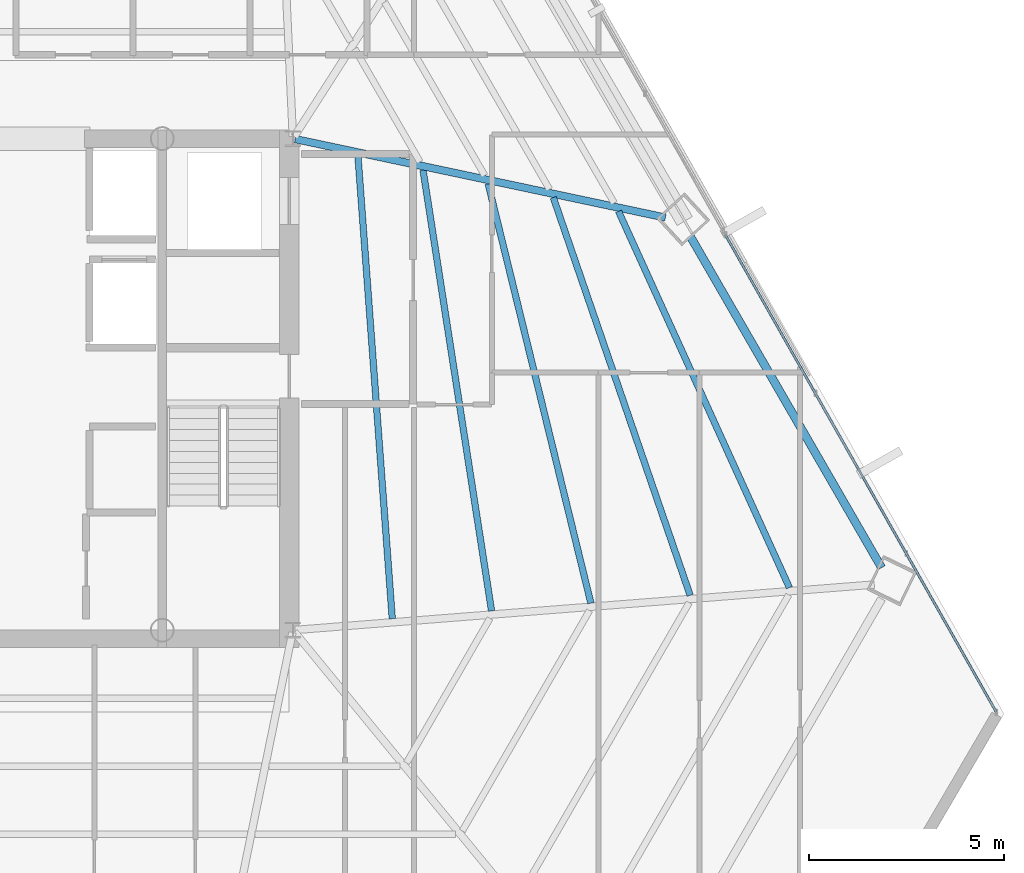
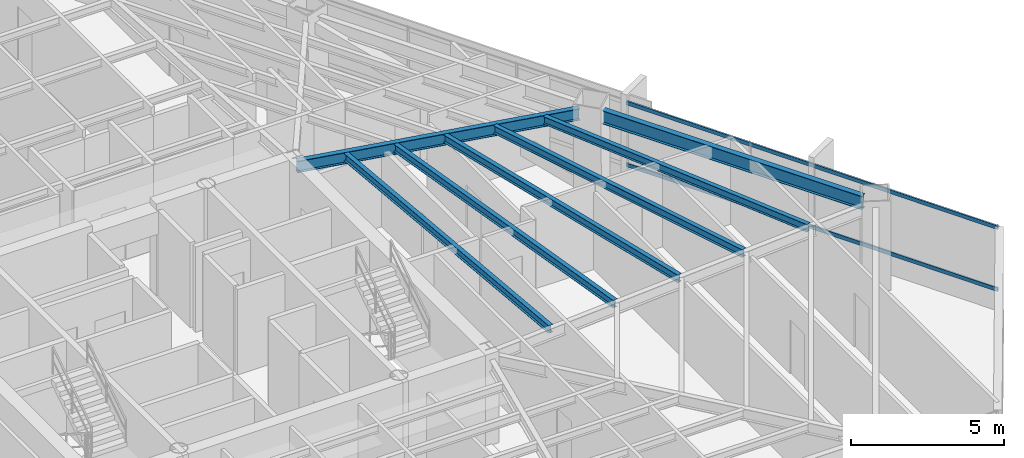
# One storey, part 22 of 42: 7 beams, 2 members, 1 element without a shape of its own.
"""IFC4 building model written with IfcOpenShell, lengths in metres."""

from ifc_helpers import new_model, si_unit, direction, frame, origin, origin_2d, place, context, subcontext, project, spatial, hollow_rectangle, i_section, extrude, source, transform, mapped, material, material_profile, profile_set, type_object, type_shapes, element, aggregate, save


model = new_model("IFC4")

# Units and contexts
model_context = context("Model", 3, precision=1e-05, world=origin(), true_north=direction((0.0, 1.0)))
body_context = subcontext(model_context, "Body", "Model", "MODEL_VIEW")
ifc_project = project(units=[si_unit("LENGTHUNIT", "METRE"), si_unit("AREAUNIT", "SQUARE_METRE"), si_unit("VOLUMEUNIT", "CUBIC_METRE"), si_unit("PLANEANGLEUNIT", "RADIAN"), si_unit("MASSUNIT", "GRAM", prefix="KILO")], contexts=[model_context])

# Site, building, storey
site_placement = place(None, origin())
site = spatial("IfcSite", under=ifc_project, at=site_placement, CompositionType="ELEMENT")
building_placement = place(site_placement, origin())
building = spatial("IfcBuilding", under=site, at=building_placement, Name="Caelisora Broadcast Tower", CompositionType="ELEMENT")
storey_placement = place(building_placement, frame((0.0, 0.0, 131.800048828125)))
storey = spatial("IfcBuildingStorey", under=building, at=storey_placement, Name="L34", CompositionType="ELEMENT", Elevation=131.800048828125)

# Beams
ifc_material_1 = material(Name="Steel Grade 350 (AS/NZS 3679.1)", Category="steel")
ifc_material_profile_1 = material_profile(ifc_material_1, i_section(OverallWidth=0.208984375, OverallDepth=0.532958984375, WebThickness=0.01025390625, FlangeThickness=0.015625, at=origin_2d()), Name="Steel Grade 350 (AS/NZS 3679.1)")
ifc_profile_set_1 = profile_set([ifc_material_profile_1], Name="Steel Grade 350 (AS/NZS 3679.1)")
beam_type_1 = type_object("IfcBeamType", Name="PG05", PredefinedType="BEAM", material=ifc_profile_set_1)
shared_shape_1 = source(origin(), body_context, "Body", "SweptSolid", [
    extrude(i_section(OverallWidth=0.208984375, OverallDepth=0.532958984375, WebThickness=0.01025390625, FlangeThickness=0.015625, at=origin_2d()), origin(), (0.0, 0.0, 1.0), 9.80322265625),
])
type_shapes(beam_type_1, [shared_shape_1])
beam_1_placement = place(storey_placement, frame((60.590087890625, 19.00048828125, 3.133544921875), z_axis=(-0.500004141693, 0.866023012564, 0.0), x_axis=(-0.866023012564, -0.500004141693, 0.0)))
element("IfcBeam", 1, at=beam_1_placement, inside=storey, type_object=beam_type_1, Name="L34 beam PG05", PredefinedType="BEAM", context=body_context, shape_type="MappedRepresentation", body=[
    mapped(shared_shape_1, transform((0.0, 0.0, 0.0), scale=1.0)),
])
ifc_material_profile_2 = material_profile(ifc_material_1, i_section(OverallWidth=0.19091796875, OverallDepth=0.46044921875, WebThickness=0.010009765625, FlangeThickness=0.01611328125, at=origin_2d()), Name="Steel Grade 350 (AS/NZS 3679.1)")
ifc_profile_set_2 = profile_set([ifc_material_profile_2], Name="Steel Grade 350 (AS/NZS 3679.1)")
beam_type_2 = type_object("IfcBeamType", Name="PG06", PredefinedType="BEAM", material=ifc_profile_set_2)
shared_shape_2 = source(origin(), body_context, "Body", "SweptSolid", [
    extrude(i_section(OverallWidth=0.19091796875, OverallDepth=0.46044921875, WebThickness=0.010009765625, FlangeThickness=0.01611328125, at=origin_2d()), origin(), (0.0, 0.0, 1.0), 9.699951171875),
])
type_shapes(beam_type_2, [shared_shape_2])
beam_2_placement = place(storey_placement, frame((45.55859375, 29.987548828125, 3.169677734375), z_axis=(0.978252080496, -0.207419543452, 0.0), x_axis=(0.207419543452, 0.978252080496, 0.0)))
element("IfcBeam", 2, at=beam_2_placement, inside=storey, type_object=beam_type_2, Name="L34 beam PG06", PredefinedType="BEAM", context=body_context, shape_type="MappedRepresentation", body=[
    mapped(shared_shape_2, transform((0.0, 0.0, 0.0), scale=1.0)),
])
ifc_material_profile_3 = material_profile(ifc_material_1, i_section(OverallWidth=0.166015625, OverallDepth=0.30712890625, WebThickness=0.006591796875, FlangeThickness=0.01171875, at=origin_2d()), Name="Steel Grade 350 (AS/NZS 3679.1)")
ifc_profile_set_3 = profile_set([ifc_material_profile_3], Name="Steel Grade 350 (AS/NZS 3679.1)")
beam_type_3 = type_object("IfcBeamType", Name="SB03", PredefinedType="JOIST", material=ifc_profile_set_3)
shared_shape_3 = source(origin(), body_context, "Body", "SweptSolid", [
    extrude(i_section(OverallWidth=0.166015625, OverallDepth=0.30712890625, WebThickness=0.006591796875, FlangeThickness=0.01171875, at=origin_2d()), origin(), (0.0, 0.0, 1.0), 11.891845703125),
])
beam_3_placement = place(storey_placement, frame((48.04638671875, 17.692626953125, 3.246337890625), z_axis=(-0.073948819587, 0.997262037822, 0.0), x_axis=(-0.997262037822, -0.073948819587, 0.0)))
element("IfcBeam", 3, at=beam_3_placement, inside=storey, type_object=beam_type_3, Name="L34 beam SB03", PredefinedType="JOIST", context=body_context, shape_type="MappedRepresentation", body=[
    mapped(shared_shape_3, transform((0.0, 0.0, 0.0), scale=1.0)),
])
shared_shape_4 = source(origin(), body_context, "Body", "SweptSolid", [
    extrude(i_section(OverallWidth=0.166015625, OverallDepth=0.30712890625, WebThickness=0.006591796875, FlangeThickness=0.01171875, at=origin_2d()), origin(), (0.0, 0.0, 1.0), 11.441650390625),
])
beam_4_placement = place(storey_placement, frame((50.59228515625, 17.892333984375, 3.246337890625), z_axis=(-0.153610707741, 0.988131443922, 0.0), x_axis=(-0.988131443922, -0.153610707741, 0.0)))
element("IfcBeam", 4, at=beam_4_placement, inside=storey, type_object=beam_type_3, Name="L34 beam SB03", PredefinedType="JOIST", context=body_context, shape_type="MappedRepresentation", body=[
    mapped(shared_shape_4, transform((0.0, 0.0, 0.0), scale=1.0)),
])
shared_shape_5 = source(origin(), body_context, "Body", "SweptSolid", [
    extrude(i_section(OverallWidth=0.166015625, OverallDepth=0.30712890625, WebThickness=0.006591796875, FlangeThickness=0.01171875, at=origin_2d()), origin(), (0.0, 0.0, 1.0), 11.070068359375),
])
beam_5_placement = place(storey_placement, frame((53.1376953125, 18.092041015625, 3.246337890625), z_axis=(-0.237919683133, 0.971284831745, 0.0), x_axis=(-0.971284831745, -0.237919683133, 0.0)))
element("IfcBeam", 5, at=beam_5_placement, inside=storey, type_object=beam_type_3, Name="L34 beam SB03", PredefinedType="JOIST", context=body_context, shape_type="MappedRepresentation", body=[
    mapped(shared_shape_5, transform((0.0, 0.0, 0.0), scale=1.0)),
])
shared_shape_6 = source(origin(), body_context, "Body", "SweptSolid", [
    extrude(i_section(OverallWidth=0.166015625, OverallDepth=0.30712890625, WebThickness=0.006591796875, FlangeThickness=0.01171875, at=origin_2d()), origin(), (0.0, 0.0, 1.0), 10.78466796875),
])
beam_6_placement = place(storey_placement, frame((55.682373046875, 18.291748046875, 3.246337890625), z_axis=(-0.325279683883, 0.945617854767, 0.0), x_axis=(-0.945617854767, -0.325279683883, 0.0)))
element("IfcBeam", 6, at=beam_6_placement, inside=storey, type_object=beam_type_3, Name="L34 beam SB03", PredefinedType="JOIST", context=body_context, shape_type="MappedRepresentation", body=[
    mapped(shared_shape_6, transform((0.0, 0.0, 0.0), scale=1.0)),
])
shared_shape_7 = source(origin(), body_context, "Body", "SweptSolid", [
    extrude(i_section(OverallWidth=0.166015625, OverallDepth=0.30712890625, WebThickness=0.006591796875, FlangeThickness=0.01171875, at=origin_2d()), origin(), (0.0, 0.0, 1.0), 10.591796875),
])
type_shapes(beam_type_3, [shared_shape_3, shared_shape_4, shared_shape_5, shared_shape_6, shared_shape_7])
beam_7_placement = place(storey_placement, frame((58.22607421875, 18.491455078125, 3.246337890625), z_axis=(-0.41349726921, 0.910505358774, 0.0), x_axis=(-0.910505358774, -0.41349726921, 0.0)))
element("IfcBeam", 7, at=beam_7_placement, inside=storey, type_object=beam_type_3, Name="L34 beam SB03", PredefinedType="JOIST", context=body_context, shape_type="MappedRepresentation", body=[
    mapped(shared_shape_7, transform((0.0, 0.0, 0.0), scale=1.0)),
])

# Curtain wall, members
ifc_material_2 = material(Name="Unitised Aluminium and Low-E Glass Curtain Wall", Category="glass")
curtain_wall_type = type_object("IfcCurtainWallType", Name="CW-Z3", PredefinedType="NOTDEFINED", material=ifc_material_2)
curtain_wall_placement = place(storey_placement, origin())
curtain_wall = element("IfcCurtainWall", 8, at=curtain_wall_placement, inside=storey, type_object=curtain_wall_type, Name="L34 curtain wall CW-Z3", PredefinedType="NOTDEFINED")
ifc_material_3 = material(Name="Aluminium 6063-T6 Anodised Terracotta Bronze", Category="aluminium")
ifc_material_profile_4 = material_profile(ifc_material_3, hollow_rectangle(XDim=0.06005859375, YDim=0.14990234375, WallThickness=0.00341796875, at=origin_2d()), Name="Aluminium 6063-T6 Anodised Terracotta Bronze")
ifc_profile_set_4 = profile_set([ifc_material_profile_4], Name="Aluminium 6063-T6 Anodised Terracotta Bronze")
member_type = type_object("IfcMemberType", Name="CWT-02", PredefinedType="USERDEFINED", material=ifc_profile_set_4)
shared_shape_8 = source(origin(), body_context, "Body", "SweptSolid", [
    extrude(hollow_rectangle(XDim=0.06005859375, YDim=0.14990234375, WallThickness=0.00341796875, at=origin_2d()), origin(), (0.0, 0.0, 1.0), 14.069091796875),
])
type_shapes(member_type, [shared_shape_8])
member_1_placement = place(storey_placement, frame((56.583984375, 27.534912109375, 0.849853515625), z_axis=(0.493655180532, -0.869657727347, 0.0), x_axis=(0.869657727347, 0.493655180532, 0.0)))
member_1 = element("IfcMember", 9, at=member_1_placement, type_object=member_type, Name="L34-CW-B03 transom #1", ObjectType="TRANSOM", PredefinedType="USERDEFINED", context=body_context, shape_type="MappedRepresentation", body=[
    mapped(shared_shape_8, transform((0.0, 0.0, 0.0), scale=1.0)),
])
member_2_placement = place(storey_placement, frame((56.583984375, 27.534912109375, 3.320068359375), z_axis=(0.493655180532, -0.869657727347, 0.0), x_axis=(0.869657727347, 0.493655180532, 0.0)))
member_2 = element("IfcMember", 10, at=member_2_placement, type_object=member_type, Name="L34-CW-B03 transom #2", ObjectType="TRANSOM", PredefinedType="USERDEFINED", context=body_context, shape_type="MappedRepresentation", body=[
    mapped(shared_shape_8, transform((0.0, 0.0, 0.0), scale=1.0)),
])
aggregate(curtain_wall, [member_1, member_2])

save(model, "model.ifc")
